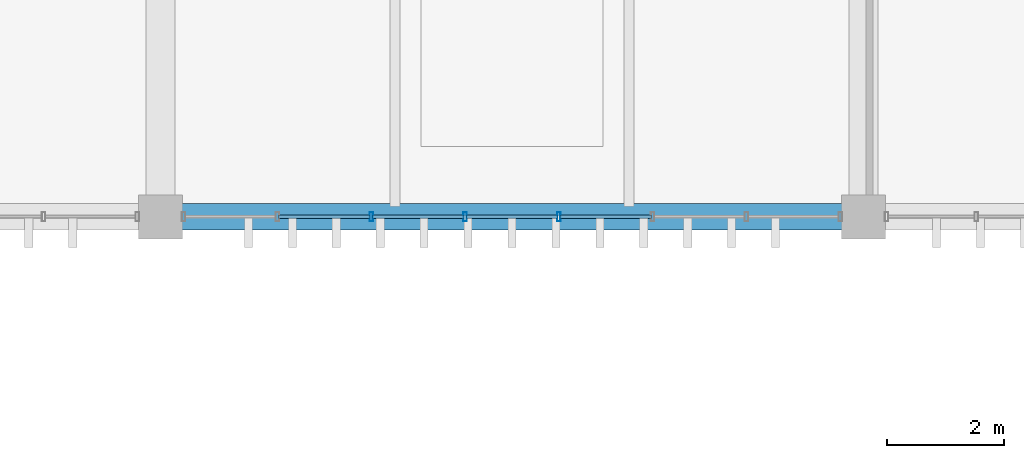
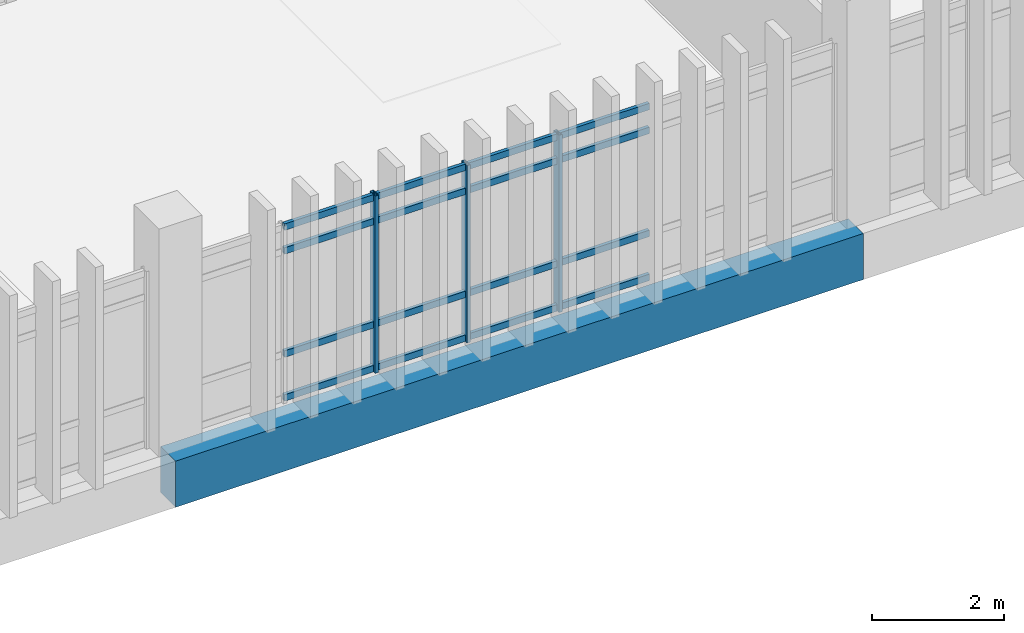
# One storey, part 77 of 161: 19 members, 1 beam, 1 element without a shape of its own.
"""IFC4 building model written with IfcOpenShell, lengths in metres."""

from ifc_helpers import new_model, si_unit, direction, frame, origin, origin_2d, place, context, subcontext, project, spatial, rectangle, hollow_rectangle, extrude, material, layer, layer_set, material_profile, profile_set, type_object, element, aggregate, save


model = new_model("IFC4")

# Units and contexts
model_context = context("Model", 3, precision=1e-05, world=origin(), true_north=direction((0.0, 1.0)))
body_context = subcontext(model_context, "Body", "Model", "MODEL_VIEW")
ifc_project = project(units=[si_unit("LENGTHUNIT", "METRE"), si_unit("AREAUNIT", "SQUARE_METRE"), si_unit("VOLUMEUNIT", "CUBIC_METRE"), si_unit("PLANEANGLEUNIT", "RADIAN"), si_unit("MASSUNIT", "GRAM", prefix="KILO")], contexts=[model_context])

# Site, building, storey
site_placement = place(None, origin())
site = spatial("IfcSite", under=ifc_project, at=site_placement, CompositionType="ELEMENT")
building_placement = place(site_placement, origin())
building = spatial("IfcBuilding", under=site, at=building_placement, Name="Mersad Railyard Sports Hall", CompositionType="ELEMENT")
storey_placement = place(building_placement, frame((0.0, 0.0, 4.800048828125)))
storey = spatial("IfcBuildingStorey", under=building, at=storey_placement, Name="L01", CompositionType="ELEMENT", Elevation=4.800048828125)

# Curtain wall, members
ifc_material_1 = material(Name="Aluminium 6063-T6", Category="aluminium")
ifc_layer = layer(ifc_material_1, 0.159912109375)
ifc_layer_set = layer_set([ifc_layer], Name="Aluminium 6063-T6")
curtain_wall_type = type_object("IfcCurtainWallType", Name="ARC-CW-CW37", PredefinedType="USERDEFINED", material=ifc_layer_set)
curtain_wall_placement = place(storey_placement, origin())
curtain_wall = element("IfcCurtainWall", 1, at=curtain_wall_placement, inside=storey, type_object=curtain_wall_type, Name="Curtain wall CW37-0107", ObjectType="CURTAIN WALL", PredefinedType="USERDEFINED")
ifc_material_profile_1 = material_profile(ifc_material_1, hollow_rectangle(XDim=0.06005859375, YDim=0.159912109375, WallThickness=0.00390625, at=origin_2d()), Name="AL MULLION 60x160x4")
ifc_profile_set_1 = profile_set([ifc_material_profile_1], Name="Aluminium 6063-T6")
member_type_1 = type_object("IfcMemberType", Name="ARC-CW-MUL01", PredefinedType="MULLION", material=ifc_profile_set_1)
member_1_placement = place(storey_placement, frame((85.80078125, 85.0, -0.02001953125), z_axis=(0.0, 0.0, 1.0), x_axis=(1.0, 0.0, 0.0)))
member_1 = element("IfcMember", 2, at=member_1_placement, type_object=member_type_1, Name="CW37 Mullion 4", PredefinedType="MULLION", context=body_context, shape_type="SweptSolid", body=[
    extrude(hollow_rectangle(XDim=0.06005859375, YDim=0.159912109375, WallThickness=0.00390625, at=origin_2d()), origin(), (0.0, 0.0, 1.0), 3.27001953125),
])
member_2_placement = place(storey_placement, frame((84.19921875, 85.0, -0.02001953125), z_axis=(0.0, 0.0, 1.0), x_axis=(1.0, 0.0, 0.0)))
member_2 = element("IfcMember", 3, at=member_2_placement, type_object=member_type_1, Name="CW37 Mullion 5", PredefinedType="MULLION", context=body_context, shape_type="SweptSolid", body=[
    extrude(hollow_rectangle(XDim=0.06005859375, YDim=0.159912109375, WallThickness=0.00390625, at=origin_2d()), origin(), (0.0, 0.0, 1.0), 3.27001953125),
])
member_3_placement = place(storey_placement, frame((82.597900390625, 85.0, -0.02001953125), z_axis=(0.0, 0.0, 1.0), x_axis=(1.0, 0.0, 0.0)))
member_3 = element("IfcMember", 4, at=member_3_placement, type_object=member_type_1, Name="CW37 Mullion 6", PredefinedType="MULLION", context=body_context, shape_type="SweptSolid", body=[
    extrude(hollow_rectangle(XDim=0.06005859375, YDim=0.159912109375, WallThickness=0.00390625, at=origin_2d()), origin(), (0.0, 0.0, 1.0), 3.27001953125),
])
ifc_material_profile_2 = material_profile(ifc_material_1, hollow_rectangle(XDim=0.06005859375, YDim=0.1201171875, WallThickness=0.00390625, at=origin_2d()), Name="AL TRANSOM 60x120x4")
ifc_profile_set_2 = profile_set([ifc_material_profile_2], Name="Aluminium 6063-T6")
member_type_2 = type_object("IfcMemberType", Name="ARC-CW-TRN01", PredefinedType="USERDEFINED", material=ifc_profile_set_2)
member_4_placement = place(storey_placement, frame((87.382080078125, 85.0, 0.0400390625), z_axis=(-1.0, 0.0, 0.0), x_axis=(0.0, -1.0, 0.0)))
member_4 = element("IfcMember", 5, at=member_4_placement, type_object=member_type_2, Name="CW37 Transom 1-3", ObjectType="TRANSOM", PredefinedType="USERDEFINED", context=body_context, shape_type="SweptSolid", body=[
    extrude(hollow_rectangle(XDim=0.06005859375, YDim=0.1201171875, WallThickness=0.00390625, at=origin_2d()), origin(), (0.0, 0.0, 1.0), 1.561279296875),
])
member_5_placement = place(storey_placement, frame((85.78076171875, 85.0, 0.0400390625), z_axis=(-1.0, 0.0, 0.0), x_axis=(0.0, -1.0, 0.0)))
member_5 = element("IfcMember", 6, at=member_5_placement, type_object=member_type_2, Name="CW37 Transom 1-4", ObjectType="TRANSOM", PredefinedType="USERDEFINED", context=body_context, shape_type="SweptSolid", body=[
    extrude(hollow_rectangle(XDim=0.06005859375, YDim=0.1201171875, WallThickness=0.00390625, at=origin_2d()), origin(), (0.0, 0.0, 1.0), 1.5615234375),
])
member_6_placement = place(storey_placement, frame((84.17919921875, 85.0, 0.0400390625), z_axis=(-1.0, 0.0, 0.0), x_axis=(0.0, -1.0, 0.0)))
member_6 = element("IfcMember", 7, at=member_6_placement, type_object=member_type_2, Name="CW37 Transom 1-5", ObjectType="TRANSOM", PredefinedType="USERDEFINED", context=body_context, shape_type="SweptSolid", body=[
    extrude(hollow_rectangle(XDim=0.06005859375, YDim=0.1201171875, WallThickness=0.00390625, at=origin_2d()), origin(), (0.0, 0.0, 1.0), 1.561279296875),
])
member_7_placement = place(storey_placement, frame((82.577880859375, 85.0, 0.0400390625), z_axis=(-1.0, 0.0, 0.0), x_axis=(0.0, -1.0, 0.0)))
member_7 = element("IfcMember", 8, at=member_7_placement, type_object=member_type_2, Name="CW37 Transom 1-6", ObjectType="TRANSOM", PredefinedType="USERDEFINED", context=body_context, shape_type="SweptSolid", body=[
    extrude(hollow_rectangle(XDim=0.06005859375, YDim=0.1201171875, WallThickness=0.00390625, at=origin_2d()), origin(), (0.0, 0.0, 1.0), 1.5615234375),
])
member_8_placement = place(storey_placement, frame((87.382080078125, 85.0, 0.849853515625), z_axis=(-1.0, 0.0, 0.0), x_axis=(0.0, -1.0, 0.0)))
member_8 = element("IfcMember", 9, at=member_8_placement, type_object=member_type_2, Name="CW37 Transom 2-3", ObjectType="TRANSOM", PredefinedType="USERDEFINED", context=body_context, shape_type="SweptSolid", body=[
    extrude(hollow_rectangle(XDim=0.06005859375, YDim=0.1201171875, WallThickness=0.00390625, at=origin_2d()), origin(), (0.0, 0.0, 1.0), 1.561279296875),
])
member_9_placement = place(storey_placement, frame((85.78076171875, 85.0, 0.849853515625), z_axis=(-1.0, 0.0, 0.0), x_axis=(0.0, -1.0, 0.0)))
member_9 = element("IfcMember", 10, at=member_9_placement, type_object=member_type_2, Name="CW37 Transom 2-4", ObjectType="TRANSOM", PredefinedType="USERDEFINED", context=body_context, shape_type="SweptSolid", body=[
    extrude(hollow_rectangle(XDim=0.06005859375, YDim=0.1201171875, WallThickness=0.00390625, at=origin_2d()), origin(), (0.0, 0.0, 1.0), 1.5615234375),
])
member_10_placement = place(storey_placement, frame((84.17919921875, 85.0, 0.849853515625), z_axis=(-1.0, 0.0, 0.0), x_axis=(0.0, -1.0, 0.0)))
member_10 = element("IfcMember", 11, at=member_10_placement, type_object=member_type_2, Name="CW37 Transom 2-5", ObjectType="TRANSOM", PredefinedType="USERDEFINED", context=body_context, shape_type="SweptSolid", body=[
    extrude(hollow_rectangle(XDim=0.06005859375, YDim=0.1201171875, WallThickness=0.00390625, at=origin_2d()), origin(), (0.0, 0.0, 1.0), 1.561279296875),
])
member_11_placement = place(storey_placement, frame((82.577880859375, 85.0, 0.849853515625), z_axis=(-1.0, 0.0, 0.0), x_axis=(0.0, -1.0, 0.0)))
member_11 = element("IfcMember", 12, at=member_11_placement, type_object=member_type_2, Name="CW37 Transom 2-6", ObjectType="TRANSOM", PredefinedType="USERDEFINED", context=body_context, shape_type="SweptSolid", body=[
    extrude(hollow_rectangle(XDim=0.06005859375, YDim=0.1201171875, WallThickness=0.00390625, at=origin_2d()), origin(), (0.0, 0.0, 1.0), 1.5615234375),
])
member_12_placement = place(storey_placement, frame((87.382080078125, 85.0, 2.75), z_axis=(-1.0, 0.0, 0.0), x_axis=(0.0, -1.0, 0.0)))
member_12 = element("IfcMember", 13, at=member_12_placement, type_object=member_type_2, Name="CW37 Transom 3-3", ObjectType="TRANSOM", PredefinedType="USERDEFINED", context=body_context, shape_type="SweptSolid", body=[
    extrude(hollow_rectangle(XDim=0.06005859375, YDim=0.1201171875, WallThickness=0.00390625, at=origin_2d()), origin(), (0.0, 0.0, 1.0), 1.561279296875),
])
member_13_placement = place(storey_placement, frame((85.78076171875, 85.0, 2.75), z_axis=(-1.0, 0.0, 0.0), x_axis=(0.0, -1.0, 0.0)))
member_13 = element("IfcMember", 14, at=member_13_placement, type_object=member_type_2, Name="CW37 Transom 3-4", ObjectType="TRANSOM", PredefinedType="USERDEFINED", context=body_context, shape_type="SweptSolid", body=[
    extrude(hollow_rectangle(XDim=0.06005859375, YDim=0.1201171875, WallThickness=0.00390625, at=origin_2d()), origin(), (0.0, 0.0, 1.0), 1.5615234375),
])
member_14_placement = place(storey_placement, frame((84.17919921875, 85.0, 2.75), z_axis=(-1.0, 0.0, 0.0), x_axis=(0.0, -1.0, 0.0)))
member_14 = element("IfcMember", 15, at=member_14_placement, type_object=member_type_2, Name="CW37 Transom 3-5", ObjectType="TRANSOM", PredefinedType="USERDEFINED", context=body_context, shape_type="SweptSolid", body=[
    extrude(hollow_rectangle(XDim=0.06005859375, YDim=0.1201171875, WallThickness=0.00390625, at=origin_2d()), origin(), (0.0, 0.0, 1.0), 1.561279296875),
])
member_15_placement = place(storey_placement, frame((82.577880859375, 85.0, 2.75), z_axis=(-1.0, 0.0, 0.0), x_axis=(0.0, -1.0, 0.0)))
member_15 = element("IfcMember", 16, at=member_15_placement, type_object=member_type_2, Name="CW37 Transom 3-6", ObjectType="TRANSOM", PredefinedType="USERDEFINED", context=body_context, shape_type="SweptSolid", body=[
    extrude(hollow_rectangle(XDim=0.06005859375, YDim=0.1201171875, WallThickness=0.00390625, at=origin_2d()), origin(), (0.0, 0.0, 1.0), 1.5615234375),
])
member_16_placement = place(storey_placement, frame((87.382080078125, 85.0, 3.18994140625), z_axis=(-1.0, 0.0, 0.0), x_axis=(0.0, -1.0, 0.0)))
member_16 = element("IfcMember", 17, at=member_16_placement, type_object=member_type_2, Name="CW37 Transom 4-3", ObjectType="TRANSOM", PredefinedType="USERDEFINED", context=body_context, shape_type="SweptSolid", body=[
    extrude(hollow_rectangle(XDim=0.06005859375, YDim=0.1201171875, WallThickness=0.00390625, at=origin_2d()), origin(), (0.0, 0.0, 1.0), 1.561279296875),
])
member_17_placement = place(storey_placement, frame((85.78076171875, 85.0, 3.18994140625), z_axis=(-1.0, 0.0, 0.0), x_axis=(0.0, -1.0, 0.0)))
member_17 = element("IfcMember", 18, at=member_17_placement, type_object=member_type_2, Name="CW37 Transom 4-4", ObjectType="TRANSOM", PredefinedType="USERDEFINED", context=body_context, shape_type="SweptSolid", body=[
    extrude(hollow_rectangle(XDim=0.06005859375, YDim=0.1201171875, WallThickness=0.00390625, at=origin_2d()), origin(), (0.0, 0.0, 1.0), 1.5615234375),
])
member_18_placement = place(storey_placement, frame((84.17919921875, 85.0, 3.18994140625), z_axis=(-1.0, 0.0, 0.0), x_axis=(0.0, -1.0, 0.0)))
member_18 = element("IfcMember", 19, at=member_18_placement, type_object=member_type_2, Name="CW37 Transom 4-5", ObjectType="TRANSOM", PredefinedType="USERDEFINED", context=body_context, shape_type="SweptSolid", body=[
    extrude(hollow_rectangle(XDim=0.06005859375, YDim=0.1201171875, WallThickness=0.00390625, at=origin_2d()), origin(), (0.0, 0.0, 1.0), 1.561279296875),
])
member_19_placement = place(storey_placement, frame((82.577880859375, 85.0, 3.18994140625), z_axis=(-1.0, 0.0, 0.0), x_axis=(0.0, -1.0, 0.0)))
member_19 = element("IfcMember", 20, at=member_19_placement, type_object=member_type_2, Name="CW37 Transom 4-6", ObjectType="TRANSOM", PredefinedType="USERDEFINED", context=body_context, shape_type="SweptSolid", body=[
    extrude(hollow_rectangle(XDim=0.06005859375, YDim=0.1201171875, WallThickness=0.00390625, at=origin_2d()), origin(), (0.0, 0.0, 1.0), 1.5615234375),
])
aggregate(curtain_wall, [member_1, member_2, member_3, member_4, member_5, member_6, member_7, member_8, member_9, member_10, member_11, member_12, member_13, member_14, member_15, member_16, member_17, member_18, member_19])

# Beam
ifc_material_2 = material(Name="Concrete C40/50", Category="concrete")
ifc_material_profile_3 = material_profile(ifc_material_2, rectangle(XDim=0.449951171875, YDim=0.85009765625, at=origin_2d()), Name="RC 450x850")
ifc_profile_set_3 = profile_set([ifc_material_profile_3], Name="Concrete C40/50")
beam_type = type_object("IfcBeamType", Name="STR-BM-B02", PredefinedType="BEAM", material=ifc_profile_set_3)
beam_placement = place(storey_placement, frame((79.0, 85.0, -0.72509765625), z_axis=(1.0, 0.0, 0.0), x_axis=(0.0, 1.0, 0.0)))
element("IfcBeam", 21, at=beam_placement, inside=storey, type_object=beam_type, Name="Beam B02-0927", PredefinedType="BEAM", context=body_context, shape_type="SweptSolid", body=[
    extrude(rectangle(XDim=0.449951171875, YDim=0.85009765625, at=origin_2d()), origin(), (0.0, 0.0, 1.0), 12.0),
])

save(model, "model.ifc")
